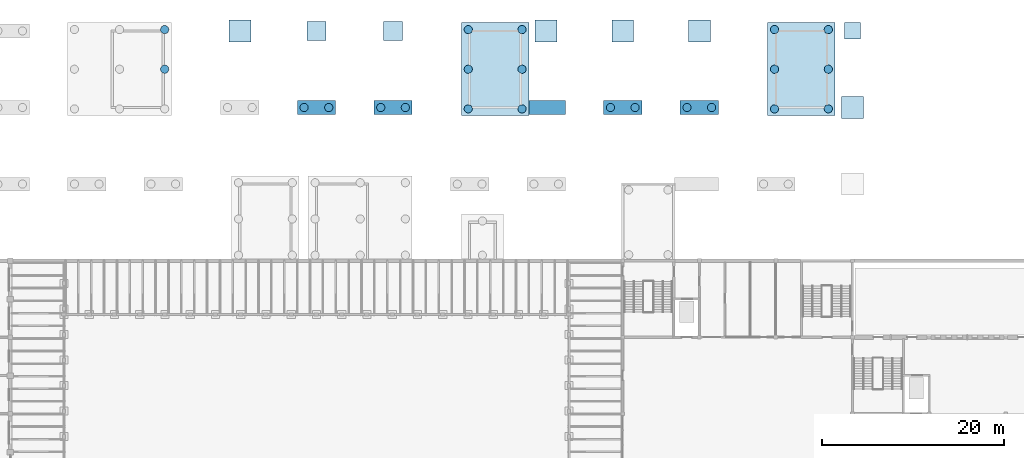
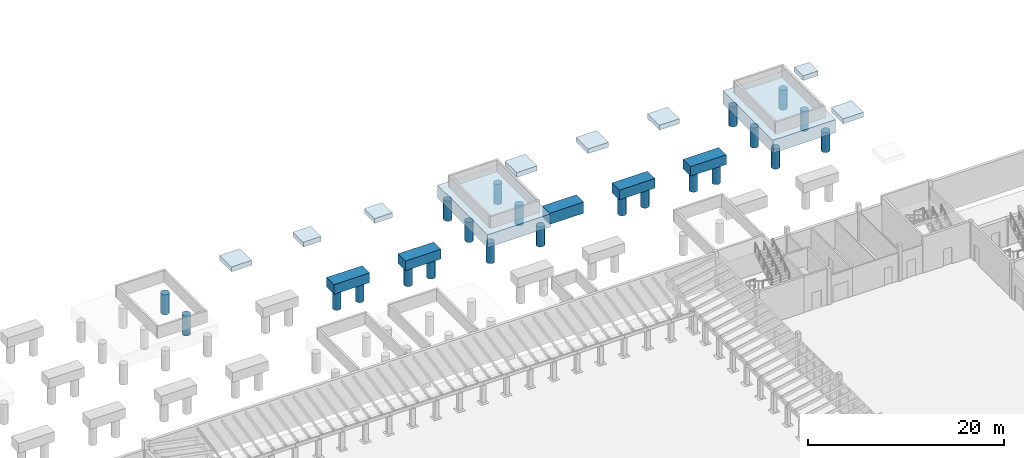
# One storey, part 2 of 60: 22 piles, 15 footings.
"""IFC4 building model written with IfcOpenShell, lengths in metres."""

from ifc_helpers import new_model, si_unit, direction, frame, origin, origin_2d, place, context, subcontext, project, spatial, polyline, circle, outline, extrude, material, material_profile, profile_set, type_object, element, save


model = new_model("IFC4")

# Units and contexts
model_context = context("Model", 3, precision=1e-05, world=origin(), true_north=direction((0.0, 1.0)))
body_context = subcontext(model_context, "Body", "Model", "MODEL_VIEW")
ifc_project = project(units=[si_unit("LENGTHUNIT", "METRE"), si_unit("AREAUNIT", "SQUARE_METRE"), si_unit("VOLUMEUNIT", "CUBIC_METRE"), si_unit("PLANEANGLEUNIT", "RADIAN"), si_unit("MASSUNIT", "GRAM", prefix="KILO")], contexts=[model_context])

# Site, building, storey
site_placement = place(None, origin())
site = spatial("IfcSite", under=ifc_project, at=site_placement, CompositionType="ELEMENT")
building_placement = place(site_placement, origin())
building = spatial("IfcBuilding", under=site, at=building_placement, Name="Fescue Hill Polytechnic", CompositionType="ELEMENT")
storey_placement = place(building_placement, frame((0.0, 0.0, 4.5)))
storey = spatial("IfcBuildingStorey", under=building, at=storey_placement, Name="L01", CompositionType="ELEMENT", Elevation=4.5)

# Piles
ifc_material = material(Name="Concrete 35 MPa", Category="concrete")
ifc_material_profile = material_profile(ifc_material, circle(Radius=0.449951171875, at=origin_2d()), Name="Bored pile 900")
ifc_profile_set = profile_set([ifc_material_profile], Name="Concrete 35 MPa")
pile_type = type_object("IfcPileType", Name="Bored pile 900", PredefinedType="BORED", material=ifc_profile_set)
for number, where, z_axis, x_axis, name in (
    (1, (42.14990234375, 130.199951171875, 1.5), (0.0, 0.0, -1.0), (1.0, 0.0, 0.0), "PL-L01-012-06"),
    (2, (42.14990234375, 134.550048828125, 1.5), (0.0, 0.0, -1.0), (1.0, 0.0, 0.0), "PL-L01-012-09"),
    (3, (57.449951171875, 126.0, 1.89990234375), (0.0, 0.0, -1.0), (1.0, 0.0, 0.0), "PL-L01-017-01"),
    (4, (60.14990234375, 126.0, 1.89990234375), (0.0, 0.0, -1.0), (1.0, 0.0, 0.0), "PL-L01-017-02"),
    (5, (65.85009765625, 126.0, 1.89990234375), (0.0, 0.0, -1.0), (1.0, 0.0, 0.0), "PL-L01-020-01"),
    (6, (68.550048828125, 126.0, 1.89990234375), (0.0, 0.0, -1.0), (1.0, 0.0, 0.0), "PL-L01-020-02"),
    (7, (75.449951171875, 125.85009765625, 1.5), (0.0, 0.0, -1.0), (1.0, 0.0, 0.0), "PL-L01-024-01"),
    (8, (81.35009765625, 125.85009765625, 1.5), (0.0, 0.0, -1.0), (1.0, 0.0, 0.0), "PL-L01-024-02"),
    (9, (75.449951171875, 130.199951171875, 1.5), (0.0, 0.0, -1.0), (1.0, 0.0, 0.0), "PL-L01-024-03"),
    (10, (81.35009765625, 130.199951171875, 1.5), (0.0, 0.0, -1.0), (1.0, 0.0, 0.0), "PL-L01-024-04"),
    (11, (75.449951171875, 134.550048828125, 1.5), (0.0, 0.0, -1.0), (1.0, 0.0, 0.0), "PL-L01-024-05"),
    (12, (81.35009765625, 134.550048828125, 1.5), (0.0, 0.0, -1.0), (1.0, 0.0, 0.0), "PL-L01-024-06"),
    (13, (91.050048828125, 126.0, 1.89990234375), (0.0, 0.0, -1.0), (1.0, 0.0, 0.0), "PL-L01-028-01"),
    (14, (93.75, 126.0, 1.89990234375), (0.0, 0.0, -1.0), (1.0, 0.0, 0.0), "PL-L01-028-02"),
    (15, (99.449951171875, 126.0, 1.89990234375), (0.0, 0.0, -1.0), (1.0, 0.0, 0.0), "PL-L01-032-01"),
    (16, (102.14990234375, 126.0, 1.89990234375), (0.0, 0.0, -1.0), (1.0, 0.0, 0.0), "PL-L01-032-02"),
    (17, (109.050048828125, 125.85009765625, 1.5), (0.0, 0.0, -1.0), (1.0, 0.0, 0.0), "PL-L01-035-01"),
    (18, (114.949951171875, 125.85009765625, 1.5), (0.0, 0.0, -1.0), (1.0, 0.0, 0.0), "PL-L01-035-02"),
    (19, (109.050048828125, 130.199951171875, 1.5), (0.0, 0.0, -1.0), (1.0, 0.0, 0.0), "PL-L01-035-03"),
    (20, (114.949951171875, 130.199951171875, 1.5), (0.0, 0.0, -1.0), (1.0, 0.0, 0.0), "PL-L01-035-04"),
    (21, (109.050048828125, 134.550048828125, 1.5), (0.0, 0.0, -1.0), (1.0, 0.0, 0.0), "PL-L01-035-05"),
    (22, (114.949951171875, 134.550048828125, 1.5), (0.0, 0.0, -1.0), (1.0, 0.0, 0.0), "PL-L01-035-06"),
):
    element("IfcPile", number, at=place(storey_placement, frame(where, z_axis=z_axis, x_axis=x_axis)), inside=storey, type_object=pile_type, Name=name, PredefinedType="BORED", context=body_context, shape_type="SweptSolid", body=[
        extrude(circle(Radius=0.449951171875, at=origin_2d()), origin(), (0.0, 0.0, 1.0), 2.5),
    ])

# Footings
footing_type_1 = type_object("IfcFootingType", Name="Pad footing 1800x1800x600", PredefinedType="PAD_FOOTING", material=ifc_material)
footing_1_placement = place(storey_placement, frame((0.0, 0.0, 2.39990234375)))
element("IfcFooting", 23, at=footing_1_placement, inside=storey, type_object=footing_type_1, Name="FT-L01-038", PredefinedType="PAD_FOOTING", context=body_context, shape_type="SweptSolid", body=[
    extrude(outline(polyline([(118.5, 133.5), (118.5, 135.300048828125), (116.699951171875, 135.300048828125), (116.699951171875, 133.5), (118.5, 133.5)])), origin(), (0.0, 0.0, 1.0), 0.60009765625),
])
footing_type_2 = type_object("IfcFootingType", Name="Pad footing 2100x2100x600", PredefinedType="PAD_FOOTING", material=ifc_material)
footing_2_placement = place(storey_placement, frame((0.0, 0.0, 2.39990234375)))
element("IfcFooting", 24, at=footing_2_placement, inside=storey, type_object=footing_type_2, Name="FT-L01-018", PredefinedType="PAD_FOOTING", context=body_context, shape_type="SweptSolid", body=[
    extrude(outline(polyline([(59.85009765625, 133.35009765625), (59.85009765625, 135.449951171875), (57.75, 135.449951171875), (57.75, 133.35009765625), (59.85009765625, 133.35009765625)])), origin(), (0.0, 0.0, 1.0), 0.60009765625),
])
footing_3_placement = place(storey_placement, frame((0.0, 0.0, 2.39990234375)))
element("IfcFooting", 25, at=footing_3_placement, inside=storey, type_object=footing_type_2, Name="FT-L01-021", PredefinedType="PAD_FOOTING", context=body_context, shape_type="SweptSolid", body=[
    extrude(outline(polyline([(68.25, 133.35009765625), (68.25, 135.449951171875), (66.14990234375, 135.449951171875), (66.14990234375, 133.35009765625), (68.25, 133.35009765625)])), origin(), (0.0, 0.0, 1.0), 0.60009765625),
])
footing_type_3 = type_object("IfcFootingType", Name="Pad footing 2400x2400x600", PredefinedType="PAD_FOOTING", material=ifc_material)
footing_4_placement = place(storey_placement, frame((0.0, 0.0, 2.39990234375)))
element("IfcFooting", 26, at=footing_4_placement, inside=storey, type_object=footing_type_3, Name="FT-L01-015", PredefinedType="PAD_FOOTING", context=body_context, shape_type="SweptSolid", body=[
    extrude(outline(polyline([(51.60009765625, 133.199951171875), (51.60009765625, 135.60009765625), (49.199951171875, 135.60009765625), (49.199951171875, 133.199951171875), (51.60009765625, 133.199951171875)])), origin(), (0.0, 0.0, 1.0), 0.60009765625),
])
footing_5_placement = place(storey_placement, frame((0.0, 0.0, 2.39990234375)))
element("IfcFooting", 27, at=footing_5_placement, inside=storey, type_object=footing_type_3, Name="FT-L01-027", PredefinedType="PAD_FOOTING", context=body_context, shape_type="SweptSolid", body=[
    extrude(outline(polyline([(85.199951171875, 133.199951171875), (85.199951171875, 135.60009765625), (82.800048828125, 135.60009765625), (82.800048828125, 133.199951171875), (85.199951171875, 133.199951171875)])), origin(), (0.0, 0.0, 1.0), 0.60009765625),
])
footing_6_placement = place(storey_placement, frame((0.0, 0.0, 2.39990234375)))
element("IfcFooting", 28, at=footing_6_placement, inside=storey, type_object=footing_type_3, Name="FT-L01-029", PredefinedType="PAD_FOOTING", context=body_context, shape_type="SweptSolid", body=[
    extrude(outline(polyline([(93.60009765625, 133.199951171875), (93.60009765625, 135.60009765625), (91.199951171875, 135.60009765625), (91.199951171875, 133.199951171875), (93.60009765625, 133.199951171875)])), origin(), (0.0, 0.0, 1.0), 0.60009765625),
])
footing_7_placement = place(storey_placement, frame((0.0, 0.0, 2.39990234375)))
element("IfcFooting", 29, at=footing_7_placement, inside=storey, type_object=footing_type_3, Name="FT-L01-033", PredefinedType="PAD_FOOTING", context=body_context, shape_type="SweptSolid", body=[
    extrude(outline(polyline([(102.0, 133.199951171875), (102.0, 135.60009765625), (99.60009765625, 135.60009765625), (99.60009765625, 133.199951171875), (102.0, 133.199951171875)])), origin(), (0.0, 0.0, 1.0), 0.60009765625),
])
footing_8_placement = place(storey_placement, frame((0.0, 0.0, 2.39990234375)))
element("IfcFooting", 30, at=footing_8_placement, inside=storey, type_object=footing_type_3, Name="FT-L01-037", PredefinedType="PAD_FOOTING", context=body_context, shape_type="SweptSolid", body=[
    extrude(outline(polyline([(118.800048828125, 124.800048828125), (118.800048828125, 127.199951171875), (116.39990234375, 127.199951171875), (116.39990234375, 124.800048828125), (118.800048828125, 124.800048828125)])), origin(), (0.0, 0.0, 1.0), 0.60009765625),
])
footing_type_4 = type_object("IfcFootingType", Name="Pad footing 4000x1500x1400", PredefinedType="PAD_FOOTING", material=ifc_material)
footing_9_placement = place(storey_placement, frame((0.0, 0.0, 1.60009765625)))
element("IfcFooting", 31, at=footing_9_placement, inside=storey, type_object=footing_type_4, Name="FT-L01-026", PredefinedType="PAD_FOOTING", context=body_context, shape_type="SweptSolid", body=[
    extrude(outline(polyline([(86.10009765625, 125.25), (86.10009765625, 126.75), (82.10009765625, 126.75), (82.10009765625, 125.25), (86.10009765625, 125.25)])), origin(), (0.0, 0.0, 1.0), 1.39990234375),
])
footing_type_5 = type_object("IfcFootingType", Name="Pile cap 4200x1500x1200 on 2 piles", PredefinedType="PILE_CAP", material=ifc_material)
footing_10_placement = place(storey_placement, frame((0.0, 0.0, 1.800048828125)))
element("IfcFooting", 32, at=footing_10_placement, inside=storey, type_object=footing_type_5, Name="FT-L01-017", PredefinedType="PILE_CAP", context=body_context, shape_type="SweptSolid", body=[
    extrude(outline(polyline([(60.89990234375, 125.25), (60.89990234375, 126.75), (56.699951171875, 126.75), (56.699951171875, 125.25), (60.89990234375, 125.25)])), origin(), (0.0, 0.0, 1.0), 1.199951171875),
])
footing_11_placement = place(storey_placement, frame((0.0, 0.0, 1.800048828125)))
element("IfcFooting", 33, at=footing_11_placement, inside=storey, type_object=footing_type_5, Name="FT-L01-020", PredefinedType="PILE_CAP", context=body_context, shape_type="SweptSolid", body=[
    extrude(outline(polyline([(69.300048828125, 125.25), (69.300048828125, 126.75), (65.10009765625, 126.75), (65.10009765625, 125.25), (69.300048828125, 125.25)])), origin(), (0.0, 0.0, 1.0), 1.199951171875),
])
footing_12_placement = place(storey_placement, frame((0.0, 0.0, 1.800048828125)))
element("IfcFooting", 34, at=footing_12_placement, inside=storey, type_object=footing_type_5, Name="FT-L01-028", PredefinedType="PILE_CAP", context=body_context, shape_type="SweptSolid", body=[
    extrude(outline(polyline([(94.5, 125.25), (94.5, 126.75), (90.300048828125, 126.75), (90.300048828125, 125.25), (94.5, 125.25)])), origin(), (0.0, 0.0, 1.0), 1.199951171875),
])
footing_13_placement = place(storey_placement, frame((0.0, 0.0, 1.800048828125)))
element("IfcFooting", 35, at=footing_13_placement, inside=storey, type_object=footing_type_5, Name="FT-L01-032", PredefinedType="PILE_CAP", context=body_context, shape_type="SweptSolid", body=[
    extrude(outline(polyline([(102.89990234375, 125.25), (102.89990234375, 126.75), (98.699951171875, 126.75), (98.699951171875, 125.25), (102.89990234375, 125.25)])), origin(), (0.0, 0.0, 1.0), 1.199951171875),
])
footing_type_6 = type_object("IfcFootingType", Name="Pile cap 7400x10200x1600 on 6 piles", PredefinedType="PILE_CAP", material=ifc_material)
footing_14_placement = place(storey_placement, frame((0.0, 0.0, 1.39990234375)))
element("IfcFooting", 36, at=footing_14_placement, inside=storey, type_object=footing_type_6, Name="FT-L01-024", PredefinedType="PILE_CAP", context=body_context, shape_type="SweptSolid", body=[
    extrude(outline(polyline([(82.10009765625, 125.10009765625), (82.10009765625, 135.300048828125), (74.699951171875, 135.300048828125), (74.699951171875, 125.10009765625), (82.10009765625, 125.10009765625)])), origin(), (0.0, 0.0, 1.0), 1.60009765625),
])
footing_15_placement = place(storey_placement, frame((0.0, 0.0, 1.39990234375)))
element("IfcFooting", 37, at=footing_15_placement, inside=storey, type_object=footing_type_6, Name="FT-L01-035", PredefinedType="PILE_CAP", context=body_context, shape_type="SweptSolid", body=[
    extrude(outline(polyline([(108.300048828125, 125.10009765625), (108.300048828125, 135.300048828125), (115.699951171875, 135.300048828125), (115.699951171875, 125.10009765625), (108.300048828125, 125.10009765625)])), origin(), (0.0, 0.0, 1.0), 1.60009765625),
])

save(model, "model.ifc")
